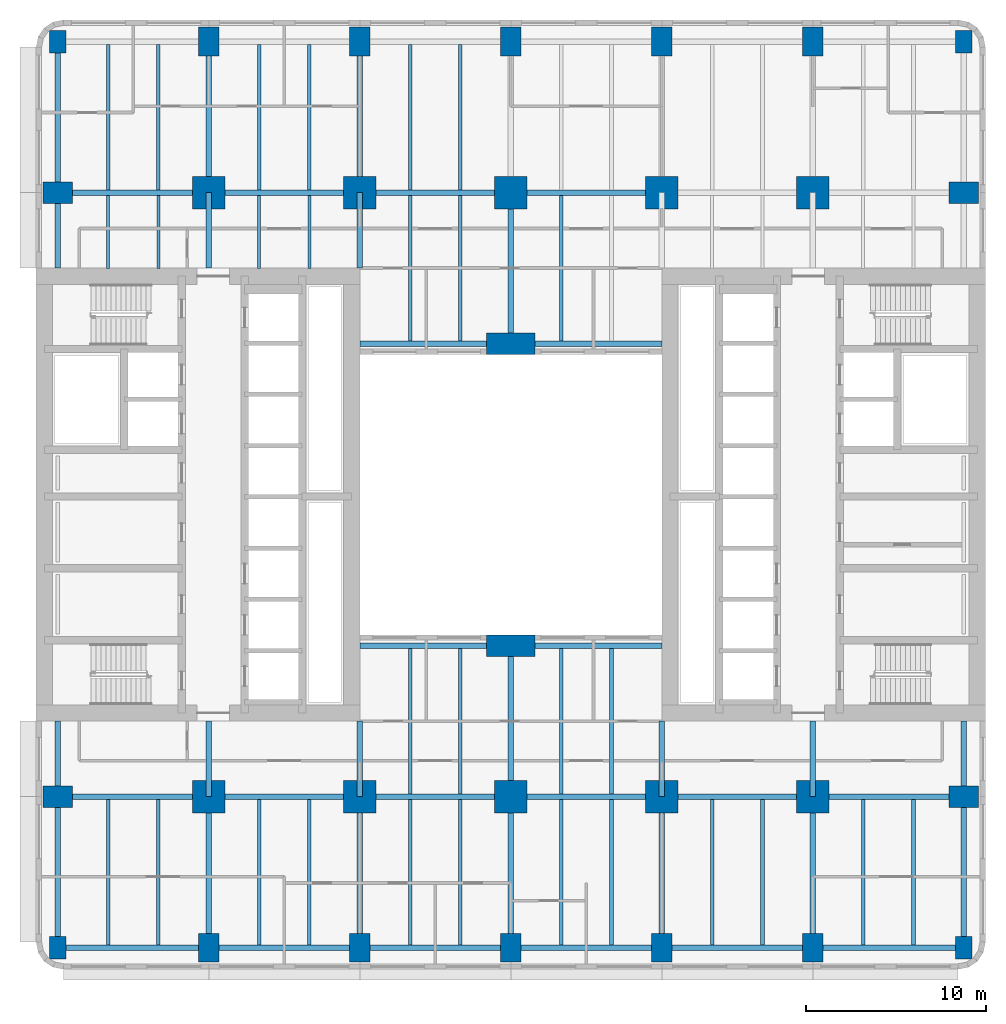
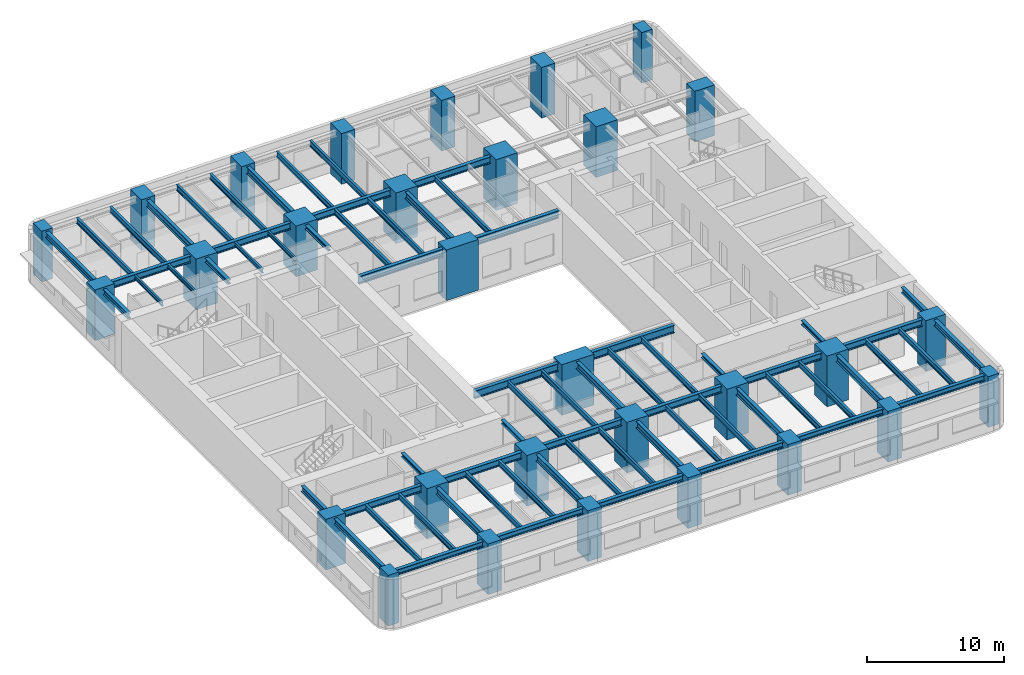
# One storey, part 1 of 12: 70 beams, 30 columns.
"""IFC4 building model written with IfcOpenShell, lengths in metres."""

from ifc_helpers import new_model, si_unit, direction, frame, origin, origin_2d, place, context, subcontext, project, spatial, rectangle, i_section, extrude, material, material_profile, profile_set, type_object, element, save


model = new_model("IFC4")

# Units and contexts
model_context = context("Model", 3, precision=1e-05, world=origin(), true_north=direction((0.0, 1.0)))
body_context = subcontext(model_context, "Body", "Model", "MODEL_VIEW")
ifc_project = project(units=[si_unit("LENGTHUNIT", "METRE"), si_unit("AREAUNIT", "SQUARE_METRE"), si_unit("VOLUMEUNIT", "CUBIC_METRE"), si_unit("PLANEANGLEUNIT", "RADIAN"), si_unit("MASSUNIT", "GRAM", prefix="KILO")], contexts=[model_context])

# Site, building, storey
site_placement = place(None, origin())
site = spatial("IfcSite", under=ifc_project, at=site_placement, CompositionType="ELEMENT")
building_placement = place(site_placement, origin())
building = spatial("IfcBuilding", under=site, at=building_placement, Name="Claustro Exchange Tower", CompositionType="ELEMENT")
storey_placement = place(building_placement, frame((0.0, 0.0, 81.89990234375)))
storey = spatial("IfcBuildingStorey", under=building, at=storey_placement, Name="L18", CompositionType="ELEMENT", Elevation=81.89990234375)

# Columns
ifc_material_1 = material(Name="Concrete HA-70 (C70/85)", Category="concrete")
ifc_material_profile_1 = material_profile(ifc_material_1, rectangle(XDim=1.800048828125, YDim=1.800048828125, at=origin_2d()), Name="RC 1800x1800")
ifc_profile_set_1 = profile_set([ifc_material_profile_1], Name="Concrete HA-70 (C70/85)")
column_type_1 = type_object("IfcColumnType", Name="C14 RC 1800x1800 HA-70 column", PredefinedType="COLUMN", material=ifc_profile_set_1)
for number, where, z_axis, x_axis, name in (
    (1, (8.39990234375, 8.39990234375, 0.0), (0.0, 0.0, 1.0), (1.0, 0.0, 0.0), "Column C14 2/B L18"),
    (2, (8.39990234375, 42.0, 0.0), (0.0, 0.0, 1.0), (1.0, 0.0, 0.0), "Column C14 2/F L18"),
    (3, (16.800048828125, 8.39990234375, 0.0), (0.0, 0.0, 1.0), (1.0, 0.0, 0.0), "Column C14 3/B L18"),
    (4, (16.800048828125, 42.0, 0.0), (0.0, 0.0, 1.0), (1.0, 0.0, 0.0), "Column C14 3/F L18"),
    (5, (25.199951171875, 8.39990234375, 0.0), (0.0, 0.0, 1.0), (1.0, 0.0, 0.0), "Column C14 4/B L18"),
    (6, (25.199951171875, 42.0, 0.0), (0.0, 0.0, 1.0), (1.0, 0.0, 0.0), "Column C14 4/F L18"),
    (7, (33.60009765625, 8.39990234375, 0.0), (0.0, 0.0, 1.0), (1.0, 0.0, 0.0), "Column C14 5/B L18"),
    (8, (33.60009765625, 42.0, 0.0), (0.0, 0.0, 1.0), (1.0, 0.0, 0.0), "Column C14 5/F L18"),
    (9, (42.0, 8.39990234375, 0.0), (0.0, 0.0, 1.0), (1.0, 0.0, 0.0), "Column C14 6/B L18"),
    (10, (42.0, 42.0, 0.0), (0.0, 0.0, 1.0), (1.0, 0.0, 0.0), "Column C14 6/F L18"),
):
    element("IfcColumn", number, at=place(storey_placement, frame(where, z_axis=z_axis, x_axis=x_axis)), inside=storey, type_object=column_type_1, Name=name, PredefinedType="COLUMN", context=body_context, shape_type="SweptSolid", body=[
        extrude(rectangle(XDim=1.800048828125, YDim=1.800048828125, at=origin_2d()), origin(), (0.0, 0.0, 1.0), 4.5),
    ])
ifc_material_2 = material(Name="Concrete HA-70 (C70/85)", Category="concrete")
ifc_material_profile_2 = material_profile(ifc_material_2, rectangle(XDim=1.199951171875, YDim=1.64990234375, at=origin_2d()), Name="RC 1200x1650")
ifc_profile_set_2 = profile_set([ifc_material_profile_2], Name="Concrete HA-70 (C70/85)")
column_type_2 = type_object("IfcColumnType", Name="C19 RC 1200x1650 HA-70 perimeter column", PredefinedType="COLUMN", material=ifc_profile_set_2)
for number, where, z_axis, x_axis, name in (
    (11, (0.0, 8.39990234375, 0.0), (0.0, 0.0, 1.0), (0.0, 1.0, 0.0), "Column C19 1/B L18"),
    (12, (0.0, 42.0, 0.0), (0.0, 0.0, 1.0), (0.0, 1.0, 0.0), "Column C19 1/F L18"),
    (13, (50.39990234375, 8.39990234375, 0.0), (0.0, 0.0, 1.0), (0.0, 1.0, 0.0), "Column C19 7/B L18"),
    (14, (50.39990234375, 42.0, 0.0), (0.0, 0.0, 1.0), (0.0, 1.0, 0.0), "Column C19 7/F L18"),
):
    element("IfcColumn", number, at=place(storey_placement, frame(where, z_axis=z_axis, x_axis=x_axis)), inside=storey, type_object=column_type_2, Name=name, PredefinedType="COLUMN", context=body_context, shape_type="SweptSolid", body=[
        extrude(rectangle(XDim=1.199951171875, YDim=1.64990234375, at=origin_2d()), origin(), (0.0, 0.0, 1.0), 4.5),
    ])
ifc_material_3 = material(Name="Concrete HA-70 (C70/85)", Category="concrete")
ifc_material_profile_3 = material_profile(ifc_material_3, rectangle(XDim=1.14990234375, YDim=1.60009765625, at=origin_2d()), Name="RC 1150x1600")
ifc_profile_set_3 = profile_set([ifc_material_profile_3], Name="Concrete HA-70 (C70/85)")
column_type_3 = type_object("IfcColumnType", Name="C20 RC 1150x1600 HA-70 perimeter column", PredefinedType="COLUMN", material=ifc_profile_set_3)
for number, where, z_axis, x_axis, name in (
    (15, (8.39990234375, 0.0, 0.0), (0.0, 0.0, 1.0), (1.0, 0.0, 0.0), "Column C20 2/A L18"),
    (16, (8.39990234375, 50.39990234375, 0.0), (0.0, 0.0, 1.0), (1.0, 0.0, 0.0), "Column C20 2/G L18"),
    (17, (16.800048828125, 0.0, 0.0), (0.0, 0.0, 1.0), (1.0, 0.0, 0.0), "Column C20 3/A L18"),
    (18, (16.800048828125, 50.39990234375, 0.0), (0.0, 0.0, 1.0), (1.0, 0.0, 0.0), "Column C20 3/G L18"),
    (19, (25.199951171875, 0.0, 0.0), (0.0, 0.0, 1.0), (1.0, 0.0, 0.0), "Column C20 4/A L18"),
    (20, (25.199951171875, 50.39990234375, 0.0), (0.0, 0.0, 1.0), (1.0, 0.0, 0.0), "Column C20 4/G L18"),
    (21, (33.60009765625, 0.0, 0.0), (0.0, 0.0, 1.0), (1.0, 0.0, 0.0), "Column C20 5/A L18"),
    (22, (33.60009765625, 50.39990234375, 0.0), (0.0, 0.0, 1.0), (1.0, 0.0, 0.0), "Column C20 5/G L18"),
    (23, (42.0, 0.0, 0.0), (0.0, 0.0, 1.0), (1.0, 0.0, 0.0), "Column C20 6/A L18"),
    (24, (42.0, 50.39990234375, 0.0), (0.0, 0.0, 1.0), (1.0, 0.0, 0.0), "Column C20 6/G L18"),
):
    element("IfcColumn", number, at=place(storey_placement, frame(where, z_axis=z_axis, x_axis=x_axis)), inside=storey, type_object=column_type_3, Name=name, PredefinedType="COLUMN", context=body_context, shape_type="SweptSolid", body=[
        extrude(rectangle(XDim=1.14990234375, YDim=1.60009765625, at=origin_2d()), origin(), (0.0, 0.0, 1.0), 4.5),
    ])
ifc_material_4 = material(Name="Concrete HA-70 (C70/85)", Category="concrete")
ifc_material_profile_4 = material_profile(ifc_material_4, rectangle(XDim=2.699951171875, YDim=1.199951171875, at=origin_2d()), Name="RC 2700x1200")
ifc_profile_set_4 = profile_set([ifc_material_profile_4], Name="Concrete HA-70 (C70/85)")
column_type_4 = type_object("IfcColumnType", Name="C30 RC 2700x1200 HA-70 light well column", PredefinedType="COLUMN", material=ifc_profile_set_4)
for number, where, z_axis, x_axis, name in (
    (25, (25.199951171875, 16.800048828125, 0.0), (0.0, 0.0, 1.0), (1.0, 0.0, 0.0), "Column C30 4/C L18"),
    (26, (25.199951171875, 33.60009765625, 0.0), (0.0, 0.0, 1.0), (1.0, 0.0, 0.0), "Column C30 4/E L18"),
):
    element("IfcColumn", number, at=place(storey_placement, frame(where, z_axis=z_axis, x_axis=x_axis)), inside=storey, type_object=column_type_4, Name=name, PredefinedType="COLUMN", context=body_context, shape_type="SweptSolid", body=[
        extrude(rectangle(XDim=2.699951171875, YDim=1.199951171875, at=origin_2d()), origin(), (0.0, 0.0, 1.0), 4.5),
    ])
ifc_material_5 = material(Name="Concrete HA-70 (C70/85)", Category="concrete")
ifc_material_profile_5 = material_profile(ifc_material_5, rectangle(XDim=0.89990234375, YDim=1.25, at=origin_2d()), Name="RC 900x1250")
ifc_profile_set_5 = profile_set([ifc_material_profile_5], Name="Concrete HA-70 (C70/85)")
column_type_5 = type_object("IfcColumnType", Name="C35 RC 900x1250 HA-70 corner column", PredefinedType="COLUMN", material=ifc_profile_set_5)
for number, where, z_axis, x_axis, name in (
    (27, (0.0, 0.0, 0.0), (0.0, 0.0, 1.0), (1.0, 0.0, 0.0), "Column C35 1/A L18"),
    (28, (0.0, 50.39990234375, 0.0), (0.0, 0.0, 1.0), (1.0, 0.0, 0.0), "Column C35 1/G L18"),
    (29, (50.39990234375, 0.0, 0.0), (0.0, 0.0, 1.0), (1.0, 0.0, 0.0), "Column C35 7/A L18"),
    (30, (50.39990234375, 50.39990234375, 0.0), (0.0, 0.0, 1.0), (1.0, 0.0, 0.0), "Column C35 7/G L18"),
):
    element("IfcColumn", number, at=place(storey_placement, frame(where, z_axis=z_axis, x_axis=x_axis)), inside=storey, type_object=column_type_5, Name=name, PredefinedType="COLUMN", context=body_context, shape_type="SweptSolid", body=[
        extrude(rectangle(XDim=0.89990234375, YDim=1.25, at=origin_2d()), origin(), (0.0, 0.0, 1.0), 4.5),
    ])

# Beams
ifc_material_6 = material(Name="Steel S355", Category="steel")
ifc_material_profile_6 = material_profile(ifc_material_6, i_section(OverallWidth=0.300048828125, OverallDepth=0.60009765625, WebThickness=0.015380859375, FlangeThickness=0.030029296875, FilletRadius=0.027099609375, at=origin_2d()), Name="HE 600 B")
ifc_profile_set_6 = profile_set([ifc_material_profile_6], Name="Steel S355")
beam_type_1 = type_object("IfcBeamType", Name="B1 HE 600 B floor girder", PredefinedType="BEAM", material=ifc_profile_set_6)
for number, where, z_axis, x_axis, name in (
    (31, (8.39990234375, 0.0, 4.0400390625), (0.0, 1.0, 0.0), (-1.0, 0.0, 0.0), "Beam B1 L19"),
    (32, (8.39990234375, 42.0, 4.0400390625), (0.0, 1.0, 0.0), (-1.0, 0.0, 0.0), "Beam B1 L19"),
    (33, (16.800048828125, 0.0, 4.0400390625), (0.0, 1.0, 0.0), (-1.0, 0.0, 0.0), "Beam B1 L19"),
    (34, (16.800048828125, 42.0, 4.0400390625), (0.0, 1.0, 0.0), (-1.0, 0.0, 0.0), "Beam B1 L19"),
    (35, (25.199951171875, 0.0, 4.0400390625), (0.0, 1.0, 0.0), (-1.0, 0.0, 0.0), "Beam B1 L19"),
):
    element("IfcBeam", number, at=place(storey_placement, frame(where, z_axis=z_axis, x_axis=x_axis)), inside=storey, type_object=beam_type_1, Name=name, PredefinedType="BEAM", context=body_context, shape_type="SweptSolid", body=[
        extrude(i_section(OverallWidth=0.300048828125, OverallDepth=0.60009765625, WebThickness=0.015380859375, FlangeThickness=0.030029296875, FilletRadius=0.027099609375, at=origin_2d()), origin(), (0.0, 0.0, 1.0), 8.39990234375),
    ])
beam_1_placement = place(storey_placement, frame((25.199951171875, 8.39990234375, 4.0400390625), z_axis=(0.0, 1.0, 0.0), x_axis=(-1.0, 0.0, 0.0)))
element("IfcBeam", 36, at=beam_1_placement, inside=storey, type_object=beam_type_1, Name="Beam B1 L19", PredefinedType="BEAM", context=body_context, shape_type="SweptSolid", body=[
    extrude(i_section(OverallWidth=0.300048828125, OverallDepth=0.60009765625, WebThickness=0.015380859375, FlangeThickness=0.030029296875, FilletRadius=0.027099609375, at=origin_2d()), origin(), (0.0, 0.0, 1.0), 8.400146484375),
])
for number, where, z_axis, x_axis, name in (
    (37, (25.199951171875, 33.60009765625, 4.0400390625), (0.0, 1.0, 0.0), (-1.0, 0.0, 0.0), "Beam B1 L19"),
    (38, (33.60009765625, 0.0, 4.0400390625), (0.0, 1.0, 0.0), (-1.0, 0.0, 0.0), "Beam B1 L19"),
    (39, (42.0, 0.0, 4.0400390625), (0.0, 1.0, 0.0), (-1.0, 0.0, 0.0), "Beam B1 L19"),
    (40, (0.0, 8.39990234375, 4.0400390625), (1.0, 0.0, 0.0), (0.0, 1.0, 0.0), "Beam B1 L19"),
):
    element("IfcBeam", number, at=place(storey_placement, frame(where, z_axis=z_axis, x_axis=x_axis)), inside=storey, type_object=beam_type_1, Name=name, PredefinedType="BEAM", context=body_context, shape_type="SweptSolid", body=[
        extrude(i_section(OverallWidth=0.300048828125, OverallDepth=0.60009765625, WebThickness=0.015380859375, FlangeThickness=0.030029296875, FilletRadius=0.027099609375, at=origin_2d()), origin(), (0.0, 0.0, 1.0), 8.39990234375),
    ])
beam_2_placement = place(storey_placement, frame((8.39990234375, 8.39990234375, 4.0400390625), z_axis=(1.0, 0.0, 0.0), x_axis=(0.0, 1.0, 0.0)))
element("IfcBeam", 41, at=beam_2_placement, inside=storey, type_object=beam_type_1, Name="Beam B1 L19", PredefinedType="BEAM", context=body_context, shape_type="SweptSolid", body=[
    extrude(i_section(OverallWidth=0.300048828125, OverallDepth=0.60009765625, WebThickness=0.015380859375, FlangeThickness=0.030029296875, FilletRadius=0.027099609375, at=origin_2d()), origin(), (0.0, 0.0, 1.0), 8.400146484375),
])
beam_3_placement = place(storey_placement, frame((16.800048828125, 8.39990234375, 4.0400390625), z_axis=(1.0, 0.0, 0.0), x_axis=(0.0, 1.0, 0.0)))
element("IfcBeam", 42, at=beam_3_placement, inside=storey, type_object=beam_type_1, Name="Beam B1 L19", PredefinedType="BEAM", context=body_context, shape_type="SweptSolid", body=[
    extrude(i_section(OverallWidth=0.300048828125, OverallDepth=0.60009765625, WebThickness=0.015380859375, FlangeThickness=0.030029296875, FilletRadius=0.027099609375, at=origin_2d()), origin(), (0.0, 0.0, 1.0), 8.39990234375),
])
beam_4_placement = place(storey_placement, frame((25.199951171875, 8.39990234375, 4.0400390625), z_axis=(1.0, 0.0, 0.0), x_axis=(0.0, 1.0, 0.0)))
element("IfcBeam", 43, at=beam_4_placement, inside=storey, type_object=beam_type_1, Name="Beam B1 L19", PredefinedType="BEAM", context=body_context, shape_type="SweptSolid", body=[
    extrude(i_section(OverallWidth=0.300048828125, OverallDepth=0.60009765625, WebThickness=0.015380859375, FlangeThickness=0.030029296875, FilletRadius=0.027099609375, at=origin_2d()), origin(), (0.0, 0.0, 1.0), 8.400146484375),
])
for number, where, z_axis, x_axis, name in (
    (44, (33.60009765625, 8.39990234375, 4.0400390625), (1.0, 0.0, 0.0), (0.0, 1.0, 0.0), "Beam B1 L19"),
    (45, (42.0, 8.39990234375, 4.0400390625), (1.0, 0.0, 0.0), (0.0, 1.0, 0.0), "Beam B1 L19"),
    (46, (0.0, 42.0, 4.0400390625), (1.0, 0.0, 0.0), (0.0, 1.0, 0.0), "Beam B1 L19"),
):
    element("IfcBeam", number, at=place(storey_placement, frame(where, z_axis=z_axis, x_axis=x_axis)), inside=storey, type_object=beam_type_1, Name=name, PredefinedType="BEAM", context=body_context, shape_type="SweptSolid", body=[
        extrude(i_section(OverallWidth=0.300048828125, OverallDepth=0.60009765625, WebThickness=0.015380859375, FlangeThickness=0.030029296875, FilletRadius=0.027099609375, at=origin_2d()), origin(), (0.0, 0.0, 1.0), 8.39990234375),
    ])
beam_5_placement = place(storey_placement, frame((8.39990234375, 42.0, 4.0400390625), z_axis=(1.0, 0.0, 0.0), x_axis=(0.0, 1.0, 0.0)))
element("IfcBeam", 47, at=beam_5_placement, inside=storey, type_object=beam_type_1, Name="Beam B1 L19", PredefinedType="BEAM", context=body_context, shape_type="SweptSolid", body=[
    extrude(i_section(OverallWidth=0.300048828125, OverallDepth=0.60009765625, WebThickness=0.015380859375, FlangeThickness=0.030029296875, FilletRadius=0.027099609375, at=origin_2d()), origin(), (0.0, 0.0, 1.0), 8.400146484375),
])
beam_6_placement = place(storey_placement, frame((16.800048828125, 42.0, 4.0400390625), z_axis=(1.0, 0.0, 0.0), x_axis=(0.0, 1.0, 0.0)))
element("IfcBeam", 48, at=beam_6_placement, inside=storey, type_object=beam_type_1, Name="Beam B1 L19", PredefinedType="BEAM", context=body_context, shape_type="SweptSolid", body=[
    extrude(i_section(OverallWidth=0.300048828125, OverallDepth=0.60009765625, WebThickness=0.015380859375, FlangeThickness=0.030029296875, FilletRadius=0.027099609375, at=origin_2d()), origin(), (0.0, 0.0, 1.0), 8.39990234375),
])
beam_7_placement = place(storey_placement, frame((25.199951171875, 42.0, 4.0400390625), z_axis=(1.0, 0.0, 0.0), x_axis=(0.0, 1.0, 0.0)))
element("IfcBeam", 49, at=beam_7_placement, inside=storey, type_object=beam_type_1, Name="Beam B1 L19", PredefinedType="BEAM", context=body_context, shape_type="SweptSolid", body=[
    extrude(i_section(OverallWidth=0.300048828125, OverallDepth=0.60009765625, WebThickness=0.015380859375, FlangeThickness=0.030029296875, FilletRadius=0.027099609375, at=origin_2d()), origin(), (0.0, 0.0, 1.0), 8.400146484375),
])
ifc_material_7 = material(Name="Steel S355", Category="steel")
ifc_material_profile_7 = material_profile(ifc_material_7, i_section(OverallWidth=0.300048828125, OverallDepth=0.68994140625, WebThickness=0.014404296875, FlangeThickness=0.027099609375, FilletRadius=0.027099609375, at=origin_2d()), Name="HE 700 A")
ifc_profile_set_7 = profile_set([ifc_material_profile_7], Name="Steel S355")
beam_type_2 = type_object("IfcBeamType", Name="B13 HE 700 A light well edge girder", PredefinedType="BEAM", material=ifc_profile_set_7)
beam_8_placement = place(storey_placement, frame((16.800048828125, 16.800048828125, 3.9951171875), z_axis=(1.0, 0.0, 0.0), x_axis=(0.0, 1.0, 0.0)))
element("IfcBeam", 50, at=beam_8_placement, inside=storey, type_object=beam_type_2, Name="Beam B13 L19", PredefinedType="BEAM", context=body_context, shape_type="SweptSolid", body=[
    extrude(i_section(OverallWidth=0.300048828125, OverallDepth=0.68994140625, WebThickness=0.014404296875, FlangeThickness=0.027099609375, FilletRadius=0.027099609375, at=origin_2d()), origin(), (0.0, 0.0, 1.0), 8.39990234375),
])
beam_9_placement = place(storey_placement, frame((25.199951171875, 16.800048828125, 3.9951171875), z_axis=(1.0, 0.0, 0.0), x_axis=(0.0, 1.0, 0.0)))
element("IfcBeam", 51, at=beam_9_placement, inside=storey, type_object=beam_type_2, Name="Beam B13 L19", PredefinedType="BEAM", context=body_context, shape_type="SweptSolid", body=[
    extrude(i_section(OverallWidth=0.300048828125, OverallDepth=0.68994140625, WebThickness=0.014404296875, FlangeThickness=0.027099609375, FilletRadius=0.027099609375, at=origin_2d()), origin(), (0.0, 0.0, 1.0), 8.400146484375),
])
beam_10_placement = place(storey_placement, frame((16.800048828125, 33.60009765625, 3.9951171875), z_axis=(1.0, 0.0, 0.0), x_axis=(0.0, 1.0, 0.0)))
element("IfcBeam", 52, at=beam_10_placement, inside=storey, type_object=beam_type_2, Name="Beam B13 L19", PredefinedType="BEAM", context=body_context, shape_type="SweptSolid", body=[
    extrude(i_section(OverallWidth=0.300048828125, OverallDepth=0.68994140625, WebThickness=0.014404296875, FlangeThickness=0.027099609375, FilletRadius=0.027099609375, at=origin_2d()), origin(), (0.0, 0.0, 1.0), 8.39990234375),
])
beam_11_placement = place(storey_placement, frame((25.199951171875, 33.60009765625, 3.9951171875), z_axis=(1.0, 0.0, 0.0), x_axis=(0.0, 1.0, 0.0)))
element("IfcBeam", 53, at=beam_11_placement, inside=storey, type_object=beam_type_2, Name="Beam B13 L19", PredefinedType="BEAM", context=body_context, shape_type="SweptSolid", body=[
    extrude(i_section(OverallWidth=0.300048828125, OverallDepth=0.68994140625, WebThickness=0.014404296875, FlangeThickness=0.027099609375, FilletRadius=0.027099609375, at=origin_2d()), origin(), (0.0, 0.0, 1.0), 8.400146484375),
])
ifc_material_8 = material(Name="Steel S355", Category="steel")
ifc_material_profile_8 = material_profile(ifc_material_8, i_section(OverallWidth=0.169921875, OverallDepth=0.360107421875, WebThickness=0.008056640625, FlangeThickness=0.0126953125, FilletRadius=0.01806640625, at=origin_2d()), Name="IPE 360")
ifc_profile_set_8 = profile_set([ifc_material_profile_8], Name="Steel S355")
beam_type_3 = type_object("IfcBeamType", Name="B16 IPE 360 short-span beam", PredefinedType="BEAM", material=ifc_profile_set_8)
for number, where, z_axis, x_axis, name in (
    (54, (2.800048828125, 37.7900390625, 4.16015625), (0.0, 1.0, 0.0), (-1.0, 0.0, 0.0), "Beam B16 L19"),
    (55, (5.60009765625, 37.7900390625, 4.16015625), (0.0, 1.0, 0.0), (-1.0, 0.0, 0.0), "Beam B16 L19"),
    (56, (11.199951171875, 37.7900390625, 4.16015625), (0.0, 1.0, 0.0), (-1.0, 0.0, 0.0), "Beam B16 L19"),
    (57, (14.0, 37.7900390625, 4.16015625), (0.0, 1.0, 0.0), (-1.0, 0.0, 0.0), "Beam B16 L19"),
):
    element("IfcBeam", number, at=place(storey_placement, frame(where, z_axis=z_axis, x_axis=x_axis)), inside=storey, type_object=beam_type_3, Name=name, PredefinedType="BEAM", context=body_context, shape_type="SweptSolid", body=[
        extrude(i_section(OverallWidth=0.169921875, OverallDepth=0.360107421875, WebThickness=0.008056640625, FlangeThickness=0.0126953125, FilletRadius=0.01806640625, at=origin_2d()), origin(), (0.0, 0.0, 1.0), 4.06005859375),
    ])
ifc_material_9 = material(Name="Steel S355", Category="steel")
ifc_material_profile_9 = material_profile(ifc_material_9, i_section(OverallWidth=0.199951171875, OverallDepth=0.5, WebThickness=0.01025390625, FlangeThickness=0.01611328125, FilletRadius=0.02099609375, at=origin_2d()), Name="IPE 500")
ifc_profile_set_9 = profile_set([ifc_material_profile_9], Name="Steel S355")
beam_type_4 = type_object("IfcBeamType", Name="B2 IPE 500 secondary beam", PredefinedType="BEAM", material=ifc_profile_set_9)
for number, where, z_axis, x_axis, name in (
    (58, (2.800048828125, 0.14990234375, 4.090087890625), (0.0, 1.0, 0.0), (-1.0, 0.0, 0.0), "Beam B2 L19"),
    (59, (5.60009765625, 0.14990234375, 4.090087890625), (0.0, 1.0, 0.0), (-1.0, 0.0, 0.0), "Beam B2 L19"),
    (60, (2.800048828125, 42.14990234375, 4.090087890625), (0.0, 1.0, 0.0), (-1.0, 0.0, 0.0), "Beam B2 L19"),
    (61, (5.60009765625, 42.14990234375, 4.090087890625), (0.0, 1.0, 0.0), (-1.0, 0.0, 0.0), "Beam B2 L19"),
    (62, (11.199951171875, 0.14990234375, 4.090087890625), (0.0, 1.0, 0.0), (-1.0, 0.0, 0.0), "Beam B2 L19"),
    (63, (14.0, 0.14990234375, 4.090087890625), (0.0, 1.0, 0.0), (-1.0, 0.0, 0.0), "Beam B2 L19"),
    (64, (11.199951171875, 42.14990234375, 4.090087890625), (0.0, 1.0, 0.0), (-1.0, 0.0, 0.0), "Beam B2 L19"),
    (65, (14.0, 42.14990234375, 4.090087890625), (0.0, 1.0, 0.0), (-1.0, 0.0, 0.0), "Beam B2 L19"),
    (66, (19.60009765625, 0.14990234375, 4.090087890625), (0.0, 1.0, 0.0), (-1.0, 0.0, 0.0), "Beam B2 L19"),
    (67, (22.39990234375, 0.14990234375, 4.090087890625), (0.0, 1.0, 0.0), (-1.0, 0.0, 0.0), "Beam B2 L19"),
):
    element("IfcBeam", number, at=place(storey_placement, frame(where, z_axis=z_axis, x_axis=x_axis)), inside=storey, type_object=beam_type_4, Name=name, PredefinedType="BEAM", context=body_context, shape_type="SweptSolid", body=[
        extrude(i_section(OverallWidth=0.199951171875, OverallDepth=0.5, WebThickness=0.01025390625, FlangeThickness=0.01611328125, FilletRadius=0.02099609375, at=origin_2d()), origin(), (0.0, 0.0, 1.0), 8.10009765625),
    ])
for number, where, z_axis, x_axis, name in (
    (68, (19.60009765625, 8.550048828125, 4.090087890625), (0.0, 1.0, 0.0), (-1.0, 0.0, 0.0), "Beam B2 L19"),
    (69, (22.39990234375, 8.550048828125, 4.090087890625), (0.0, 1.0, 0.0), (-1.0, 0.0, 0.0), "Beam B2 L19"),
):
    element("IfcBeam", number, at=place(storey_placement, frame(where, z_axis=z_axis, x_axis=x_axis)), inside=storey, type_object=beam_type_4, Name=name, PredefinedType="BEAM", context=body_context, shape_type="SweptSolid", body=[
        extrude(i_section(OverallWidth=0.199951171875, OverallDepth=0.5, WebThickness=0.01025390625, FlangeThickness=0.01611328125, FilletRadius=0.02099609375, at=origin_2d()), origin(), (0.0, 0.0, 1.0), 8.099853515625),
    ])
for number, where, z_axis, x_axis, name in (
    (70, (19.60009765625, 33.75, 4.090087890625), (0.0, 1.0, 0.0), (-1.0, 0.0, 0.0), "Beam B2 L19"),
    (71, (22.39990234375, 33.75, 4.090087890625), (0.0, 1.0, 0.0), (-1.0, 0.0, 0.0), "Beam B2 L19"),
    (72, (19.60009765625, 42.14990234375, 4.090087890625), (0.0, 1.0, 0.0), (-1.0, 0.0, 0.0), "Beam B2 L19"),
    (73, (22.39990234375, 42.14990234375, 4.090087890625), (0.0, 1.0, 0.0), (-1.0, 0.0, 0.0), "Beam B2 L19"),
    (74, (28.0, 0.14990234375, 4.090087890625), (0.0, 1.0, 0.0), (-1.0, 0.0, 0.0), "Beam B2 L19"),
    (75, (30.800048828125, 0.14990234375, 4.090087890625), (0.0, 1.0, 0.0), (-1.0, 0.0, 0.0), "Beam B2 L19"),
):
    element("IfcBeam", number, at=place(storey_placement, frame(where, z_axis=z_axis, x_axis=x_axis)), inside=storey, type_object=beam_type_4, Name=name, PredefinedType="BEAM", context=body_context, shape_type="SweptSolid", body=[
        extrude(i_section(OverallWidth=0.199951171875, OverallDepth=0.5, WebThickness=0.01025390625, FlangeThickness=0.01611328125, FilletRadius=0.02099609375, at=origin_2d()), origin(), (0.0, 0.0, 1.0), 8.10009765625),
    ])
for number, where, z_axis, x_axis, name in (
    (76, (28.0, 8.550048828125, 4.090087890625), (0.0, 1.0, 0.0), (-1.0, 0.0, 0.0), "Beam B2 L19"),
    (77, (30.800048828125, 8.550048828125, 4.090087890625), (0.0, 1.0, 0.0), (-1.0, 0.0, 0.0), "Beam B2 L19"),
):
    element("IfcBeam", number, at=place(storey_placement, frame(where, z_axis=z_axis, x_axis=x_axis)), inside=storey, type_object=beam_type_4, Name=name, PredefinedType="BEAM", context=body_context, shape_type="SweptSolid", body=[
        extrude(i_section(OverallWidth=0.199951171875, OverallDepth=0.5, WebThickness=0.01025390625, FlangeThickness=0.01611328125, FilletRadius=0.02099609375, at=origin_2d()), origin(), (0.0, 0.0, 1.0), 8.099853515625),
    ])
for number, where, z_axis, x_axis, name in (
    (78, (28.0, 33.75, 4.090087890625), (0.0, 1.0, 0.0), (-1.0, 0.0, 0.0), "Beam B2 L19"),
    (79, (36.39990234375, 0.14990234375, 4.090087890625), (0.0, 1.0, 0.0), (-1.0, 0.0, 0.0), "Beam B2 L19"),
    (80, (39.199951171875, 0.14990234375, 4.090087890625), (0.0, 1.0, 0.0), (-1.0, 0.0, 0.0), "Beam B2 L19"),
    (81, (44.800048828125, 0.14990234375, 4.090087890625), (0.0, 1.0, 0.0), (-1.0, 0.0, 0.0), "Beam B2 L19"),
    (82, (47.60009765625, 0.14990234375, 4.090087890625), (0.0, 1.0, 0.0), (-1.0, 0.0, 0.0), "Beam B2 L19"),
):
    element("IfcBeam", number, at=place(storey_placement, frame(where, z_axis=z_axis, x_axis=x_axis)), inside=storey, type_object=beam_type_4, Name=name, PredefinedType="BEAM", context=body_context, shape_type="SweptSolid", body=[
        extrude(i_section(OverallWidth=0.199951171875, OverallDepth=0.5, WebThickness=0.01025390625, FlangeThickness=0.01611328125, FilletRadius=0.02099609375, at=origin_2d()), origin(), (0.0, 0.0, 1.0), 8.10009765625),
    ])
ifc_material_10 = material(Name="Steel S355", Category="steel")
ifc_material_profile_10 = material_profile(ifc_material_10, i_section(OverallWidth=0.300048828125, OverallDepth=0.360107421875, WebThickness=0.012451171875, FlangeThickness=0.0224609375, FilletRadius=0.027099609375, at=origin_2d()), Name="HE 360 B")
ifc_profile_set_10 = profile_set([ifc_material_profile_10], Name="Steel S355")
beam_type_5 = type_object("IfcBeamType", Name="B29 HE 360 B column to core link beam", PredefinedType="BEAM", material=ifc_profile_set_10)
beam_12_placement = place(storey_placement, frame((8.39990234375, 8.39990234375, 4.16015625), z_axis=(0.0, 1.0, 0.0), x_axis=(-1.0, 0.0, 0.0)))
element("IfcBeam", 83, at=beam_12_placement, inside=storey, type_object=beam_type_5, Name="Beam B29 L19", PredefinedType="BEAM", context=body_context, shape_type="SweptSolid", body=[
    extrude(i_section(OverallWidth=0.300048828125, OverallDepth=0.360107421875, WebThickness=0.012451171875, FlangeThickness=0.0224609375, FilletRadius=0.027099609375, at=origin_2d()), origin(), (0.0, 0.0, 1.0), 4.2001953125),
])
beam_13_placement = place(storey_placement, frame((8.39990234375, 37.800048828125, 4.16015625), z_axis=(0.0, 1.0, 0.0), x_axis=(-1.0, 0.0, 0.0)))
element("IfcBeam", 84, at=beam_13_placement, inside=storey, type_object=beam_type_5, Name="Beam B29 L19", PredefinedType="BEAM", context=body_context, shape_type="SweptSolid", body=[
    extrude(i_section(OverallWidth=0.300048828125, OverallDepth=0.360107421875, WebThickness=0.012451171875, FlangeThickness=0.0224609375, FilletRadius=0.027099609375, at=origin_2d()), origin(), (0.0, 0.0, 1.0), 4.199951171875),
])
beam_14_placement = place(storey_placement, frame((16.800048828125, 8.39990234375, 4.16015625), z_axis=(0.0, 1.0, 0.0), x_axis=(-1.0, 0.0, 0.0)))
element("IfcBeam", 85, at=beam_14_placement, inside=storey, type_object=beam_type_5, Name="Beam B29 L19", PredefinedType="BEAM", context=body_context, shape_type="SweptSolid", body=[
    extrude(i_section(OverallWidth=0.300048828125, OverallDepth=0.360107421875, WebThickness=0.012451171875, FlangeThickness=0.0224609375, FilletRadius=0.027099609375, at=origin_2d()), origin(), (0.0, 0.0, 1.0), 4.2001953125),
])
beam_15_placement = place(storey_placement, frame((16.800048828125, 37.800048828125, 4.16015625), z_axis=(0.0, 1.0, 0.0), x_axis=(-1.0, 0.0, 0.0)))
element("IfcBeam", 86, at=beam_15_placement, inside=storey, type_object=beam_type_5, Name="Beam B29 L19", PredefinedType="BEAM", context=body_context, shape_type="SweptSolid", body=[
    extrude(i_section(OverallWidth=0.300048828125, OverallDepth=0.360107421875, WebThickness=0.012451171875, FlangeThickness=0.0224609375, FilletRadius=0.027099609375, at=origin_2d()), origin(), (0.0, 0.0, 1.0), 4.199951171875),
])
for number, where, z_axis, x_axis, name in (
    (87, (33.60009765625, 8.39990234375, 4.16015625), (0.0, 1.0, 0.0), (-1.0, 0.0, 0.0), "Beam B29 L19"),
    (88, (42.0, 8.39990234375, 4.16015625), (0.0, 1.0, 0.0), (-1.0, 0.0, 0.0), "Beam B29 L19"),
):
    element("IfcBeam", number, at=place(storey_placement, frame(where, z_axis=z_axis, x_axis=x_axis)), inside=storey, type_object=beam_type_5, Name=name, PredefinedType="BEAM", context=body_context, shape_type="SweptSolid", body=[
        extrude(i_section(OverallWidth=0.300048828125, OverallDepth=0.360107421875, WebThickness=0.012451171875, FlangeThickness=0.0224609375, FilletRadius=0.027099609375, at=origin_2d()), origin(), (0.0, 0.0, 1.0), 4.2001953125),
    ])
ifc_material_11 = material(Name="Steel S355", Category="steel")
ifc_material_profile_11 = material_profile(ifc_material_11, i_section(OverallWidth=0.300048828125, OverallDepth=0.5, WebThickness=0.014404296875, FlangeThickness=0.028076171875, FilletRadius=0.027099609375, at=origin_2d()), Name="HE 500 B")
ifc_profile_set_11 = profile_set([ifc_material_profile_11], Name="Steel S355")
beam_type_6 = type_object("IfcBeamType", Name="B3 HE 500 B spandrel edge girder", PredefinedType="SPANDREL", material=ifc_profile_set_11)
beam_16_placement = place(storey_placement, frame((0.0, 0.0, 4.090087890625), z_axis=(0.0, 1.0, 0.0), x_axis=(-1.0, 0.0, 0.0)))
element("IfcBeam", 89, at=beam_16_placement, inside=storey, type_object=beam_type_6, Name="Beam B3 L19", PredefinedType="SPANDREL", context=body_context, shape_type="SweptSolid", body=[
    extrude(i_section(OverallWidth=0.300048828125, OverallDepth=0.5, WebThickness=0.014404296875, FlangeThickness=0.028076171875, FilletRadius=0.027099609375, at=origin_2d()), origin(), (0.0, 0.0, 1.0), 8.39990234375),
])
beam_17_placement = place(storey_placement, frame((0.0, 8.39990234375, 4.090087890625), z_axis=(0.0, 1.0, 0.0), x_axis=(-1.0, 0.0, 0.0)))
element("IfcBeam", 90, at=beam_17_placement, inside=storey, type_object=beam_type_6, Name="Beam B3 L19", PredefinedType="SPANDREL", context=body_context, shape_type="SweptSolid", body=[
    extrude(i_section(OverallWidth=0.300048828125, OverallDepth=0.5, WebThickness=0.014404296875, FlangeThickness=0.028076171875, FilletRadius=0.027099609375, at=origin_2d()), origin(), (0.0, 0.0, 1.0), 4.2001953125),
])
beam_18_placement = place(storey_placement, frame((0.0, 37.800048828125, 4.090087890625), z_axis=(0.0, 1.0, 0.0), x_axis=(-1.0, 0.0, 0.0)))
element("IfcBeam", 91, at=beam_18_placement, inside=storey, type_object=beam_type_6, Name="Beam B3 L19", PredefinedType="SPANDREL", context=body_context, shape_type="SweptSolid", body=[
    extrude(i_section(OverallWidth=0.300048828125, OverallDepth=0.5, WebThickness=0.014404296875, FlangeThickness=0.028076171875, FilletRadius=0.027099609375, at=origin_2d()), origin(), (0.0, 0.0, 1.0), 4.199951171875),
])
for number, where, z_axis, x_axis, name in (
    (92, (0.0, 42.0, 4.090087890625), (0.0, 1.0, 0.0), (-1.0, 0.0, 0.0), "Beam B3 L19"),
    (93, (50.39990234375, 0.0, 4.090087890625), (0.0, 1.0, 0.0), (-1.0, 0.0, 0.0), "Beam B3 L19"),
):
    element("IfcBeam", number, at=place(storey_placement, frame(where, z_axis=z_axis, x_axis=x_axis)), inside=storey, type_object=beam_type_6, Name=name, PredefinedType="SPANDREL", context=body_context, shape_type="SweptSolid", body=[
        extrude(i_section(OverallWidth=0.300048828125, OverallDepth=0.5, WebThickness=0.014404296875, FlangeThickness=0.028076171875, FilletRadius=0.027099609375, at=origin_2d()), origin(), (0.0, 0.0, 1.0), 8.39990234375),
    ])
beam_19_placement = place(storey_placement, frame((50.39990234375, 8.39990234375, 4.090087890625), z_axis=(0.0, 1.0, 0.0), x_axis=(-1.0, 0.0, 0.0)))
element("IfcBeam", 94, at=beam_19_placement, inside=storey, type_object=beam_type_6, Name="Beam B3 L19", PredefinedType="SPANDREL", context=body_context, shape_type="SweptSolid", body=[
    extrude(i_section(OverallWidth=0.300048828125, OverallDepth=0.5, WebThickness=0.014404296875, FlangeThickness=0.028076171875, FilletRadius=0.027099609375, at=origin_2d()), origin(), (0.0, 0.0, 1.0), 4.2001953125),
])
beam_20_placement = place(storey_placement, frame((0.0, 0.0, 4.090087890625), z_axis=(1.0, 0.0, 0.0), x_axis=(0.0, 1.0, 0.0)))
element("IfcBeam", 95, at=beam_20_placement, inside=storey, type_object=beam_type_6, Name="Beam B3 L19", PredefinedType="SPANDREL", context=body_context, shape_type="SweptSolid", body=[
    extrude(i_section(OverallWidth=0.300048828125, OverallDepth=0.5, WebThickness=0.014404296875, FlangeThickness=0.028076171875, FilletRadius=0.027099609375, at=origin_2d()), origin(), (0.0, 0.0, 1.0), 8.39990234375),
])
beam_21_placement = place(storey_placement, frame((8.39990234375, 0.0, 4.090087890625), z_axis=(1.0, 0.0, 0.0), x_axis=(0.0, 1.0, 0.0)))
element("IfcBeam", 96, at=beam_21_placement, inside=storey, type_object=beam_type_6, Name="Beam B3 L19", PredefinedType="SPANDREL", context=body_context, shape_type="SweptSolid", body=[
    extrude(i_section(OverallWidth=0.300048828125, OverallDepth=0.5, WebThickness=0.014404296875, FlangeThickness=0.028076171875, FilletRadius=0.027099609375, at=origin_2d()), origin(), (0.0, 0.0, 1.0), 8.400146484375),
])
beam_22_placement = place(storey_placement, frame((16.800048828125, 0.0, 4.090087890625), z_axis=(1.0, 0.0, 0.0), x_axis=(0.0, 1.0, 0.0)))
element("IfcBeam", 97, at=beam_22_placement, inside=storey, type_object=beam_type_6, Name="Beam B3 L19", PredefinedType="SPANDREL", context=body_context, shape_type="SweptSolid", body=[
    extrude(i_section(OverallWidth=0.300048828125, OverallDepth=0.5, WebThickness=0.014404296875, FlangeThickness=0.028076171875, FilletRadius=0.027099609375, at=origin_2d()), origin(), (0.0, 0.0, 1.0), 8.39990234375),
])
beam_23_placement = place(storey_placement, frame((25.199951171875, 0.0, 4.090087890625), z_axis=(1.0, 0.0, 0.0), x_axis=(0.0, 1.0, 0.0)))
element("IfcBeam", 98, at=beam_23_placement, inside=storey, type_object=beam_type_6, Name="Beam B3 L19", PredefinedType="SPANDREL", context=body_context, shape_type="SweptSolid", body=[
    extrude(i_section(OverallWidth=0.300048828125, OverallDepth=0.5, WebThickness=0.014404296875, FlangeThickness=0.028076171875, FilletRadius=0.027099609375, at=origin_2d()), origin(), (0.0, 0.0, 1.0), 8.400146484375),
])
for number, where, z_axis, x_axis, name in (
    (99, (33.60009765625, 0.0, 4.090087890625), (1.0, 0.0, 0.0), (0.0, 1.0, 0.0), "Beam B3 L19"),
    (100, (42.0, 0.0, 4.090087890625), (1.0, 0.0, 0.0), (0.0, 1.0, 0.0), "Beam B3 L19"),
):
    element("IfcBeam", number, at=place(storey_placement, frame(where, z_axis=z_axis, x_axis=x_axis)), inside=storey, type_object=beam_type_6, Name=name, PredefinedType="SPANDREL", context=body_context, shape_type="SweptSolid", body=[
        extrude(i_section(OverallWidth=0.300048828125, OverallDepth=0.5, WebThickness=0.014404296875, FlangeThickness=0.028076171875, FilletRadius=0.027099609375, at=origin_2d()), origin(), (0.0, 0.0, 1.0), 8.39990234375),
    ])

save(model, "model.ifc")
